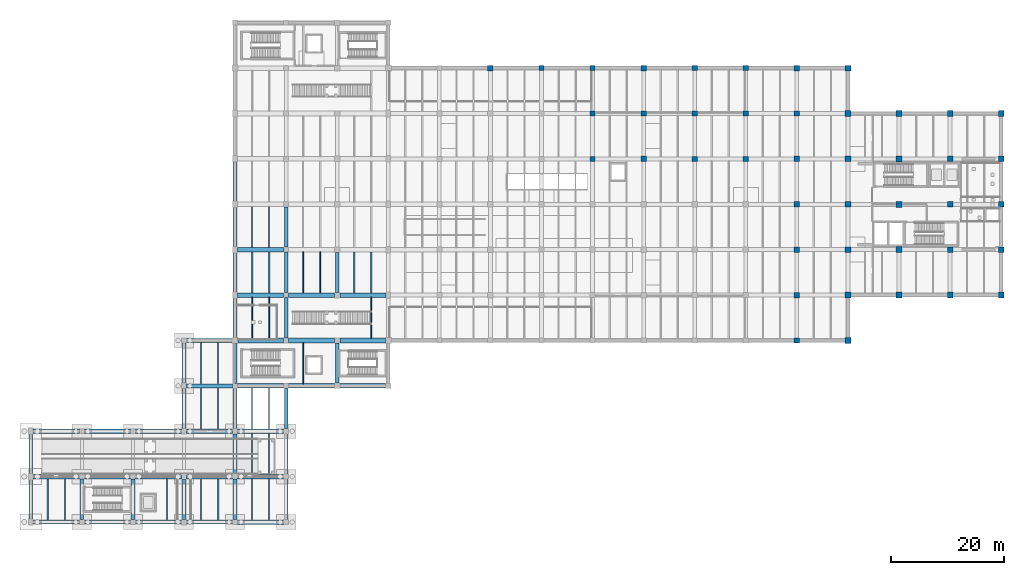
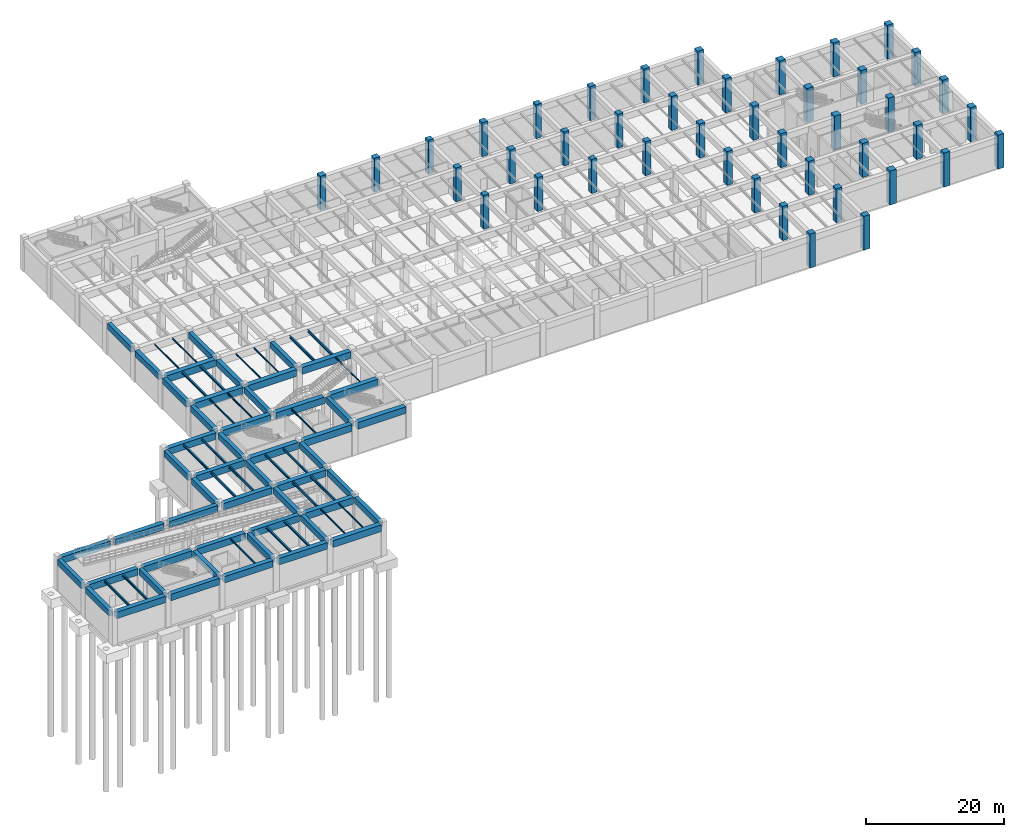
# One storey, part 2 of 20: 77 beams, 43 columns.
"""IFC4 building model written with IfcOpenShell, lengths in metres."""

from ifc_helpers import new_model, si_unit, derived_unit, direction, frame, origin, origin_2d, place, context, subcontext, project, spatial, rectangle, i_section, extrude, material, material_profile, profile_set, type_object, element, save


model = new_model("IFC4")

# Units and contexts
model_context = context("Model", 3, precision=1e-05, world=origin(), true_north=direction((0.0, 1.0)))
body_context = subcontext(model_context, "Body", "Model", "MODEL_VIEW")
ifc_project = project(units=[si_unit("LENGTHUNIT", "METRE"), si_unit("AREAUNIT", "SQUARE_METRE"), si_unit("VOLUMEUNIT", "CUBIC_METRE"), si_unit("PLANEANGLEUNIT", "RADIAN"), si_unit("MASSUNIT", "GRAM", prefix="KILO"), derived_unit("THERMALTRANSMITTANCEUNIT", [(si_unit("MASSUNIT", "GRAM", prefix="KILO"), 1), (si_unit("TIMEUNIT", "SECOND"), -3), (si_unit("THERMODYNAMICTEMPERATUREUNIT", "KELVIN"), -1)])], contexts=[model_context])

# Site, building, storey
site_placement = place(None, origin())
site = spatial("IfcSite", under=ifc_project, at=site_placement, CompositionType="ELEMENT")
building_placement = place(site_placement, origin())
building = spatial("IfcBuilding", under=site, at=building_placement, Name="Zhenchuan Archway Interchange", CompositionType="ELEMENT")
storey_placement = place(building_placement, frame((0.0, 0.0, -6.0)))
storey = spatial("IfcBuildingStorey", under=building, at=storey_placement, Name="B1", CompositionType="ELEMENT", Elevation=-6.0)

# Columns
ifc_material_1 = material(Name="Concrete C50", Category="concrete")
ifc_material_profile_1 = material_profile(ifc_material_1, rectangle(XDim=1.0, YDim=1.0, at=origin_2d()), Name="RC 1000x1000")
ifc_profile_set_1 = profile_set([ifc_material_profile_1], Name="Concrete C50")
column_type_1 = type_object("IfcColumnType", Name="COL_RC_1000_B1", PredefinedType="COLUMN", material=ifc_profile_set_1)
for number, where, z_axis, x_axis, name in (
    (1, (144.0, 32.0, 0.0), (0.0, 0.0, 1.0), (1.0, 0.0, 0.0), "Column 17/E (B1)"),
    (2, (144.0, 40.0, 0.0), (0.0, 0.0, 1.0), (1.0, 0.0, 0.0), "Column 17/F (B1)"),
    (3, (144.0, 48.0, 0.0), (0.0, 0.0, 1.0), (1.0, 0.0, 0.0), "Column 17/G (B1)"),
    (4, (144.0, 56.0, 0.0), (0.0, 0.0, 1.0), (1.0, 0.0, 0.0), "Column 17/H (B1)"),
    (5, (144.0, 64.0, 0.0), (0.0, 0.0, 1.0), (1.0, 0.0, 0.0), "Column 17/J (B1)"),
    (6, (144.0, 72.0, 0.0), (0.0, 0.0, 1.0), (1.0, 0.0, 0.0), "Column 17/K (B1)"),
    (7, (144.0, 80.0, 0.0), (0.0, 0.0, 1.0), (1.0, 0.0, 0.0), "Column 17/L (B1)"),
    (8, (162.0, 40.0, 0.0), (0.0, 0.0, 1.0), (1.0, 0.0, 0.0), "Column 19/F (B1)"),
    (9, (162.0, 48.0, 0.0), (0.0, 0.0, 1.0), (1.0, 0.0, 0.0), "Column 19/G (B1)"),
    (10, (162.0, 56.0, 0.0), (0.0, 0.0, 1.0), (1.0, 0.0, 0.0), "Column 19/H (B1)"),
    (11, (162.0, 64.0, 0.0), (0.0, 0.0, 1.0), (1.0, 0.0, 0.0), "Column 19/J (B1)"),
    (12, (162.0, 72.0, 0.0), (0.0, 0.0, 1.0), (1.0, 0.0, 0.0), "Column 19/K (B1)"),
    (13, (171.0, 40.0, 0.0), (0.0, 0.0, 1.0), (1.0, 0.0, 0.0), "Column 20/F (B1)"),
    (14, (171.0, 48.0, 0.0), (0.0, 0.0, 1.0), (1.0, 0.0, 0.0), "Column 20/G (B1)"),
    (15, (171.0, 56.0, 0.0), (0.0, 0.0, 1.0), (1.0, 0.0, 0.0), "Column 20/H (B1)"),
    (16, (171.0, 64.0, 0.0), (0.0, 0.0, 1.0), (1.0, 0.0, 0.0), "Column 20/J (B1)"),
    (17, (171.0, 72.0, 0.0), (0.0, 0.0, 1.0), (1.0, 0.0, 0.0), "Column 20/K (B1)"),
):
    element("IfcColumn", number, at=place(storey_placement, frame(where, z_axis=z_axis, x_axis=x_axis)), inside=storey, type_object=column_type_1, Name=name, PredefinedType="COLUMN", context=body_context, shape_type="SweptSolid", body=[
        extrude(rectangle(XDim=1.0, YDim=1.0, at=origin_2d()), origin(), (0.0, 0.0, 1.0), 6.0),
    ])
ifc_material_profile_2 = material_profile(ifc_material_1, rectangle(XDim=1.050048828125, YDim=1.050048828125, at=origin_2d()), Name="RC 1050x1050")
ifc_profile_set_2 = profile_set([ifc_material_profile_2], Name="Concrete C50")
column_type_2 = type_object("IfcColumnType", Name="COL_RC_1050", PredefinedType="COLUMN", material=ifc_profile_set_2)
for number, where, z_axis, x_axis, name in (
    (18, (153.0, 40.0, 0.0), (0.0, 0.0, 1.0), (1.0, 0.0, 0.0), "Column 18/F (B1)"),
    (19, (153.0, 48.0, 0.0), (0.0, 0.0, 1.0), (1.0, 0.0, 0.0), "Column 18/G (B1)"),
    (20, (153.0, 56.0, 0.0), (0.0, 0.0, 1.0), (1.0, 0.0, 0.0), "Column 18/H (B1)"),
    (21, (153.0, 64.0, 0.0), (0.0, 0.0, 1.0), (1.0, 0.0, 0.0), "Column 18/J (B1)"),
    (22, (153.0, 72.0, 0.0), (0.0, 0.0, 1.0), (1.0, 0.0, 0.0), "Column 18/K (B1)"),
):
    element("IfcColumn", number, at=place(storey_placement, frame(where, z_axis=z_axis, x_axis=x_axis)), inside=storey, type_object=column_type_2, Name=name, PredefinedType="COLUMN", context=body_context, shape_type="SweptSolid", body=[
        extrude(rectangle(XDim=1.050048828125, YDim=1.050048828125, at=origin_2d()), origin(), (0.0, 0.0, 1.0), 6.0),
    ])
ifc_material_profile_3 = material_profile(ifc_material_1, rectangle(XDim=0.89990234375, YDim=0.89990234375, at=origin_2d()), Name="RC 900x900")
ifc_profile_set_3 = profile_set([ifc_material_profile_3], Name="Concrete C50")
column_type_3 = type_object("IfcColumnType", Name="COL_RC_900", PredefinedType="COLUMN", material=ifc_profile_set_3)
for number, where, z_axis, x_axis, name in (
    (23, (90.0, 80.0, 0.0), (0.0, 0.0, 1.0), (1.0, 0.0, 0.0), "Column 11/L (B1)"),
    (24, (99.0, 64.0, 0.0), (0.0, 0.0, 1.0), (1.0, 0.0, 0.0), "Column 12/J (B1)"),
    (25, (99.0, 72.0, 0.0), (0.0, 0.0, 1.0), (1.0, 0.0, 0.0), "Column 12/K (B1)"),
    (26, (99.0, 80.0, 0.0), (0.0, 0.0, 1.0), (1.0, 0.0, 0.0), "Column 12/L (B1)"),
    (27, (117.0, 64.0, 0.0), (0.0, 0.0, 1.0), (1.0, 0.0, 0.0), "Column 14/J (B1)"),
    (28, (117.0, 72.0, 0.0), (0.0, 0.0, 1.0), (1.0, 0.0, 0.0), "Column 14/K (B1)"),
    (29, (117.0, 80.0, 0.0), (0.0, 0.0, 1.0), (1.0, 0.0, 0.0), "Column 14/L (B1)"),
    (30, (126.0, 64.0, 0.0), (0.0, 0.0, 1.0), (1.0, 0.0, 0.0), "Column 15/J (B1)"),
    (31, (126.0, 72.0, 0.0), (0.0, 0.0, 1.0), (1.0, 0.0, 0.0), "Column 15/K (B1)"),
    (32, (126.0, 80.0, 0.0), (0.0, 0.0, 1.0), (1.0, 0.0, 0.0), "Column 15/L (B1)"),
):
    element("IfcColumn", number, at=place(storey_placement, frame(where, z_axis=z_axis, x_axis=x_axis)), inside=storey, type_object=column_type_3, Name=name, PredefinedType="COLUMN", context=body_context, shape_type="SweptSolid", body=[
        extrude(rectangle(XDim=0.89990234375, YDim=0.89990234375, at=origin_2d()), origin(), (0.0, 0.0, 1.0), 6.0),
    ])
ifc_material_profile_4 = material_profile(ifc_material_1, rectangle(XDim=0.949951171875, YDim=0.949951171875, at=origin_2d()), Name="RC 950x950")
ifc_profile_set_4 = profile_set([ifc_material_profile_4], Name="Concrete C50")
column_type_4 = type_object("IfcColumnType", Name="COL_RC_950", PredefinedType="COLUMN", material=ifc_profile_set_4)
for number, where, z_axis, x_axis, name in (
    (33, (81.0, 80.0, 0.0), (0.0, 0.0, 1.0), (1.0, 0.0, 0.0), "Column 10/L (B1)"),
    (34, (108.0, 64.0, 0.0), (0.0, 0.0, 1.0), (1.0, 0.0, 0.0), "Column 13/J (B1)"),
    (35, (108.0, 72.0, 0.0), (0.0, 0.0, 1.0), (1.0, 0.0, 0.0), "Column 13/K (B1)"),
    (36, (108.0, 80.0, 0.0), (0.0, 0.0, 1.0), (1.0, 0.0, 0.0), "Column 13/L (B1)"),
    (37, (135.0, 32.0, 0.0), (0.0, 0.0, 1.0), (1.0, 0.0, 0.0), "Column 16/E (B1)"),
    (38, (135.0, 40.0, 0.0), (0.0, 0.0, 1.0), (1.0, 0.0, 0.0), "Column 16/F (B1)"),
    (39, (135.0, 48.0, 0.0), (0.0, 0.0, 1.0), (1.0, 0.0, 0.0), "Column 16/G (B1)"),
    (40, (135.0, 56.0, 0.0), (0.0, 0.0, 1.0), (1.0, 0.0, 0.0), "Column 16/H (B1)"),
    (41, (135.0, 64.0, 0.0), (0.0, 0.0, 1.0), (1.0, 0.0, 0.0), "Column 16/J (B1)"),
    (42, (135.0, 72.0, 0.0), (0.0, 0.0, 1.0), (1.0, 0.0, 0.0), "Column 16/K (B1)"),
    (43, (135.0, 80.0, 0.0), (0.0, 0.0, 1.0), (1.0, 0.0, 0.0), "Column 16/L (B1)"),
):
    element("IfcColumn", number, at=place(storey_placement, frame(where, z_axis=z_axis, x_axis=x_axis)), inside=storey, type_object=column_type_4, Name=name, PredefinedType="COLUMN", context=body_context, shape_type="SweptSolid", body=[
        extrude(rectangle(XDim=0.949951171875, YDim=0.949951171875, at=origin_2d()), origin(), (0.0, 0.0, 1.0), 6.0),
    ])

# Beams
ifc_material_2 = material(Name="Concrete C40", Category="concrete")
ifc_material_profile_5 = material_profile(ifc_material_2, rectangle(XDim=0.64990234375, YDim=1.050048828125, at=origin_2d()), Name="RC 650x1050")
ifc_profile_set_5 = profile_set([ifc_material_profile_5], Name="Concrete C40")
beam_type_1 = type_object("IfcBeamType", Name="BM_RC_650x1050", PredefinedType="BEAM", material=ifc_profile_set_5)
for number, where, z_axis, x_axis, name in (
    (44, (0.0, 0.550048828125, 5.054931640625), (0.0, 1.0, 0.0), (-1.0, 0.0, 0.0), "Beam 1:A-B (B1)"),
    (45, (0.0, 8.550048828125, 5.054931640625), (0.0, 1.0, 0.0), (-1.0, 0.0, 0.0), "Beam 1:B-C (B1)"),
):
    element("IfcBeam", number, at=place(storey_placement, frame(where, z_axis=z_axis, x_axis=x_axis)), inside=storey, type_object=beam_type_1, Name=name, PredefinedType="BEAM", context=body_context, shape_type="SweptSolid", body=[
        extrude(rectangle(XDim=0.64990234375, YDim=1.050048828125, at=origin_2d()), origin(), (0.0, 0.0, 1.0), 6.89990234375),
    ])
for number, where, z_axis, x_axis, name in (
    (46, (9.0, 0.425048828125, 5.054931640625), (0.0, 1.0, 0.0), (-1.0, 0.0, 0.0), "Beam 2:A-B (B1)"),
    (47, (18.0, 0.425048828125, 5.054931640625), (0.0, 1.0, 0.0), (-1.0, 0.0, 0.0), "Beam 3:A-B (B1)"),
):
    element("IfcBeam", number, at=place(storey_placement, frame(where, z_axis=z_axis, x_axis=x_axis)), inside=storey, type_object=beam_type_1, Name=name, PredefinedType="BEAM", context=body_context, shape_type="SweptSolid", body=[
        extrude(rectangle(XDim=0.64990234375, YDim=1.050048828125, at=origin_2d()), origin(), (0.0, 0.0, 1.0), 7.14990234375),
    ])
for number, where, z_axis, x_axis, name in (
    (48, (27.0, 0.47509765625, 5.054931640625), (0.0, 1.0, 0.0), (-1.0, 0.0, 0.0), "Beam 4:A-B (B1)"),
    (49, (27.0, 16.47509765625, 5.054931640625), (0.0, 1.0, 0.0), (-1.0, 0.0, 0.0), "Beam 4:C-D (B1)"),
    (50, (27.0, 24.47509765625, 5.054931640625), (0.0, 1.0, 0.0), (-1.0, 0.0, 0.0), "Beam 4:D-E (B1)"),
):
    element("IfcBeam", number, at=place(storey_placement, frame(where, z_axis=z_axis, x_axis=x_axis)), inside=storey, type_object=beam_type_1, Name=name, PredefinedType="BEAM", context=body_context, shape_type="SweptSolid", body=[
        extrude(rectangle(XDim=0.64990234375, YDim=1.050048828125, at=origin_2d()), origin(), (0.0, 0.0, 1.0), 7.0498046875),
    ])
for number, where, z_axis, x_axis, name in (
    (51, (36.0, 0.449951171875, 5.054931640625), (0.0, 1.0, 0.0), (-1.0, 0.0, 0.0), "Beam 5:A-B (B1)"),
    (52, (36.0, 8.449951171875, 5.054931640625), (0.0, 1.0, 0.0), (-1.0, 0.0, 0.0), "Beam 5:B-C (B1)"),
    (53, (36.0, 16.449951171875, 5.054931640625), (0.0, 1.0, 0.0), (-1.0, 0.0, 0.0), "Beam 5:C-D (B1)"),
):
    element("IfcBeam", number, at=place(storey_placement, frame(where, z_axis=z_axis, x_axis=x_axis)), inside=storey, type_object=beam_type_1, Name=name, PredefinedType="BEAM", context=body_context, shape_type="SweptSolid", body=[
        extrude(rectangle(XDim=0.64990234375, YDim=1.050048828125, at=origin_2d()), origin(), (0.0, 0.0, 1.0), 7.10009765625),
    ])
beam_1_placement = place(storey_placement, frame((36.0, 24.449951171875, 5.054931640625), z_axis=(0.0, 1.0, 0.0), x_axis=(-1.0, 0.0, 0.0)))
element("IfcBeam", 54, at=beam_1_placement, inside=storey, type_object=beam_type_1, Name="Beam 5:D-E (B1)", PredefinedType="BEAM", context=body_context, shape_type="SweptSolid", body=[
    extrude(rectangle(XDim=0.64990234375, YDim=1.050048828125, at=origin_2d()), origin(), (0.0, 0.0, 1.0), 7.025146484375),
])
beam_2_placement = place(storey_placement, frame((36.0, 32.52490234375, 5.054931640625), z_axis=(0.0, 1.0, 0.0), x_axis=(-1.0, 0.0, 0.0)))
element("IfcBeam", 55, at=beam_2_placement, inside=storey, type_object=beam_type_1, Name="Beam 5:E-F (B1)", PredefinedType="BEAM", context=body_context, shape_type="SweptSolid", body=[
    extrude(rectangle(XDim=0.64990234375, YDim=1.050048828125, at=origin_2d()), origin(), (0.0, 0.0, 1.0), 6.900146484375),
])
for number, where, z_axis, x_axis, name in (
    (56, (36.0, 40.574951171875, 5.054931640625), (0.0, 1.0, 0.0), (-1.0, 0.0, 0.0), "Beam 5:F-G (B1)"),
    (57, (36.0, 48.574951171875, 5.054931640625), (0.0, 1.0, 0.0), (-1.0, 0.0, 0.0), "Beam 5:G-H (B1)"),
    (58, (36.0, 56.574951171875, 5.054931640625), (0.0, 1.0, 0.0), (-1.0, 0.0, 0.0), "Beam 5:H-J (B1)"),
):
    element("IfcBeam", number, at=place(storey_placement, frame(where, z_axis=z_axis, x_axis=x_axis)), inside=storey, type_object=beam_type_1, Name=name, PredefinedType="BEAM", context=body_context, shape_type="SweptSolid", body=[
        extrude(rectangle(XDim=0.64990234375, YDim=1.050048828125, at=origin_2d()), origin(), (0.0, 0.0, 1.0), 6.85009765625),
    ])
for number, where, z_axis, x_axis, name in (
    (59, (45.0, 0.449951171875, 5.054931640625), (0.0, 1.0, 0.0), (-1.0, 0.0, 0.0), "Beam 6:A-B (B1)"),
    (60, (45.0, 8.449951171875, 5.054931640625), (0.0, 1.0, 0.0), (-1.0, 0.0, 0.0), "Beam 6:B-C (B1)"),
    (61, (45.0, 16.449951171875, 5.054931640625), (0.0, 1.0, 0.0), (-1.0, 0.0, 0.0), "Beam 6:C-D (B1)"),
    (62, (45.0, 32.449951171875, 5.054931640625), (0.0, 1.0, 0.0), (-1.0, 0.0, 0.0), "Beam 6:E-F (B1)"),
    (63, (45.0, 40.449951171875, 5.054931640625), (0.0, 1.0, 0.0), (-1.0, 0.0, 0.0), "Beam 6:F-G (B1)"),
    (64, (45.0, 48.449951171875, 5.054931640625), (0.0, 1.0, 0.0), (-1.0, 0.0, 0.0), "Beam 6:G-H (B1)"),
):
    element("IfcBeam", number, at=place(storey_placement, frame(where, z_axis=z_axis, x_axis=x_axis)), inside=storey, type_object=beam_type_1, Name=name, PredefinedType="BEAM", context=body_context, shape_type="SweptSolid", body=[
        extrude(rectangle(XDim=0.64990234375, YDim=1.050048828125, at=origin_2d()), origin(), (0.0, 0.0, 1.0), 7.10009765625),
    ])
for number, where, z_axis, x_axis, name in (
    (65, (54.0, 24.47509765625, 5.054931640625), (0.0, 1.0, 0.0), (-1.0, 0.0, 0.0), "Beam 7:D-E (B1)"),
    (66, (54.0, 40.47509765625, 5.054931640625), (0.0, 1.0, 0.0), (-1.0, 0.0, 0.0), "Beam 7:F-G (B1)"),
):
    element("IfcBeam", number, at=place(storey_placement, frame(where, z_axis=z_axis, x_axis=x_axis)), inside=storey, type_object=beam_type_1, Name=name, PredefinedType="BEAM", context=body_context, shape_type="SweptSolid", body=[
        extrude(rectangle(XDim=0.64990234375, YDim=1.050048828125, at=origin_2d()), origin(), (0.0, 0.0, 1.0), 7.0498046875),
    ])
ifc_material_profile_6 = material_profile(ifc_material_2, rectangle(XDim=0.75, YDim=1.14990234375, at=origin_2d()), Name="RC 750x1150")
ifc_profile_set_6 = profile_set([ifc_material_profile_6], Name="Concrete C40")
beam_type_2 = type_object("IfcBeamType", Name="BM_RC_750x1150", PredefinedType="BEAM", material=ifc_profile_set_6)
beam_3_placement = place(storey_placement, frame((0.39990234375, 0.0, 5.0048828125), z_axis=(1.0, 0.0, 0.0), x_axis=(0.0, 1.0, 0.0)))
element("IfcBeam", 67, at=beam_3_placement, inside=storey, type_object=beam_type_2, Name="Beam A:1-2 (B1)", PredefinedType="BEAM", context=body_context, shape_type="SweptSolid", body=[
    extrude(rectangle(XDim=0.75, YDim=1.14990234375, at=origin_2d()), origin(), (0.0, 0.0, 1.0), 8.175048828125),
])
beam_4_placement = place(storey_placement, frame((9.425048828125, 0.0, 5.0048828125), z_axis=(1.0, 0.0, 0.0), x_axis=(0.0, 1.0, 0.0)))
element("IfcBeam", 68, at=beam_4_placement, inside=storey, type_object=beam_type_2, Name="Beam A:2-3 (B1)", PredefinedType="BEAM", context=body_context, shape_type="SweptSolid", body=[
    extrude(rectangle(XDim=0.75, YDim=1.14990234375, at=origin_2d()), origin(), (0.0, 0.0, 1.0), 8.14990234375),
])
beam_5_placement = place(storey_placement, frame((18.425048828125, 0.0, 5.0048828125), z_axis=(1.0, 0.0, 0.0), x_axis=(0.0, 1.0, 0.0)))
element("IfcBeam", 69, at=beam_5_placement, inside=storey, type_object=beam_type_2, Name="Beam A:3-4 (B1)", PredefinedType="BEAM", context=body_context, shape_type="SweptSolid", body=[
    extrude(rectangle(XDim=0.75, YDim=1.14990234375, at=origin_2d()), origin(), (0.0, 0.0, 1.0), 8.099853515625),
])
beam_6_placement = place(storey_placement, frame((27.47509765625, 0.0, 5.0048828125), z_axis=(1.0, 0.0, 0.0), x_axis=(0.0, 1.0, 0.0)))
element("IfcBeam", 70, at=beam_6_placement, inside=storey, type_object=beam_type_2, Name="Beam A:4-5 (B1)", PredefinedType="BEAM", context=body_context, shape_type="SweptSolid", body=[
    extrude(rectangle(XDim=0.75, YDim=1.14990234375, at=origin_2d()), origin(), (0.0, 0.0, 1.0), 8.074951171875),
])
beam_7_placement = place(storey_placement, frame((0.39990234375, 8.0, 5.0048828125), z_axis=(1.0, 0.0, 0.0), x_axis=(0.0, 1.0, 0.0)))
element("IfcBeam", 71, at=beam_7_placement, inside=storey, type_object=beam_type_2, Name="Beam B:1-2 (B1)", PredefinedType="BEAM", context=body_context, shape_type="SweptSolid", body=[
    extrude(rectangle(XDim=0.75, YDim=1.14990234375, at=origin_2d()), origin(), (0.0, 0.0, 1.0), 8.175048828125),
])
beam_8_placement = place(storey_placement, frame((9.425048828125, 8.0, 5.0048828125), z_axis=(1.0, 0.0, 0.0), x_axis=(0.0, 1.0, 0.0)))
element("IfcBeam", 72, at=beam_8_placement, inside=storey, type_object=beam_type_2, Name="Beam B:2-3 (B1)", PredefinedType="BEAM", context=body_context, shape_type="SweptSolid", body=[
    extrude(rectangle(XDim=0.75, YDim=1.14990234375, at=origin_2d()), origin(), (0.0, 0.0, 1.0), 8.14990234375),
])
beam_9_placement = place(storey_placement, frame((18.425048828125, 8.0, 5.0048828125), z_axis=(1.0, 0.0, 0.0), x_axis=(0.0, 1.0, 0.0)))
element("IfcBeam", 73, at=beam_9_placement, inside=storey, type_object=beam_type_2, Name="Beam B:3-4 (B1)", PredefinedType="BEAM", context=body_context, shape_type="SweptSolid", body=[
    extrude(rectangle(XDim=0.75, YDim=1.14990234375, at=origin_2d()), origin(), (0.0, 0.0, 1.0), 8.099853515625),
])
beam_10_placement = place(storey_placement, frame((27.47509765625, 8.0, 5.0048828125), z_axis=(1.0, 0.0, 0.0), x_axis=(0.0, 1.0, 0.0)))
element("IfcBeam", 74, at=beam_10_placement, inside=storey, type_object=beam_type_2, Name="Beam B:4-5 (B1)", PredefinedType="BEAM", context=body_context, shape_type="SweptSolid", body=[
    extrude(rectangle(XDim=0.75, YDim=1.14990234375, at=origin_2d()), origin(), (0.0, 0.0, 1.0), 8.074951171875),
])
beam_11_placement = place(storey_placement, frame((0.39990234375, 16.0, 5.0048828125), z_axis=(1.0, 0.0, 0.0), x_axis=(0.0, 1.0, 0.0)))
element("IfcBeam", 75, at=beam_11_placement, inside=storey, type_object=beam_type_2, Name="Beam C:1-2 (B1)", PredefinedType="BEAM", context=body_context, shape_type="SweptSolid", body=[
    extrude(rectangle(XDim=0.75, YDim=1.14990234375, at=origin_2d()), origin(), (0.0, 0.0, 1.0), 8.175048828125),
])
beam_12_placement = place(storey_placement, frame((9.425048828125, 16.0, 5.0048828125), z_axis=(1.0, 0.0, 0.0), x_axis=(0.0, 1.0, 0.0)))
element("IfcBeam", 76, at=beam_12_placement, inside=storey, type_object=beam_type_2, Name="Beam C:2-3 (B1)", PredefinedType="BEAM", context=body_context, shape_type="SweptSolid", body=[
    extrude(rectangle(XDim=0.75, YDim=1.14990234375, at=origin_2d()), origin(), (0.0, 0.0, 1.0), 8.14990234375),
])
beam_13_placement = place(storey_placement, frame((18.425048828125, 16.0, 5.0048828125), z_axis=(1.0, 0.0, 0.0), x_axis=(0.0, 1.0, 0.0)))
element("IfcBeam", 77, at=beam_13_placement, inside=storey, type_object=beam_type_2, Name="Beam C:3-4 (B1)", PredefinedType="BEAM", context=body_context, shape_type="SweptSolid", body=[
    extrude(rectangle(XDim=0.75, YDim=1.14990234375, at=origin_2d()), origin(), (0.0, 0.0, 1.0), 8.099853515625),
])
for number, where, z_axis, x_axis, name in (
    (78, (27.47509765625, 16.0, 5.0048828125), (1.0, 0.0, 0.0), (0.0, 1.0, 0.0), "Beam C:4-5 (B1)"),
    (79, (27.47509765625, 24.0, 5.0048828125), (1.0, 0.0, 0.0), (0.0, 1.0, 0.0), "Beam D:4-5 (B1)"),
):
    element("IfcBeam", number, at=place(storey_placement, frame(where, z_axis=z_axis, x_axis=x_axis)), inside=storey, type_object=beam_type_2, Name=name, PredefinedType="BEAM", context=body_context, shape_type="SweptSolid", body=[
        extrude(rectangle(XDim=0.75, YDim=1.14990234375, at=origin_2d()), origin(), (0.0, 0.0, 1.0), 8.074951171875),
    ])
beam_14_placement = place(storey_placement, frame((27.47509765625, 32.0, 5.0048828125), z_axis=(1.0, 0.0, 0.0), x_axis=(0.0, 1.0, 0.0)))
element("IfcBeam", 80, at=beam_14_placement, inside=storey, type_object=beam_type_2, Name="Beam E:4-5 (B1)", PredefinedType="BEAM", context=body_context, shape_type="SweptSolid", body=[
    extrude(rectangle(XDim=0.75, YDim=1.14990234375, at=origin_2d()), origin(), (0.0, 0.0, 1.0), 8.0),
])
ifc_material_profile_7 = material_profile(ifc_material_1, rectangle(XDim=0.800048828125, YDim=1.199951171875, at=origin_2d()), Name="RC 800x1200")
ifc_profile_set_7 = profile_set([ifc_material_profile_7], Name="Concrete C50")
beam_type_3 = type_object("IfcBeamType", Name="BM_RC_800x1200", PredefinedType="BEAM", material=ifc_profile_set_7)
for number, where, z_axis, x_axis, name in (
    (81, (36.449951171875, 0.0, 4.97998046875), (1.0, 0.0, 0.0), (0.0, 1.0, 0.0), "Beam A:5-6 (B1)"),
    (82, (36.449951171875, 8.0, 4.97998046875), (1.0, 0.0, 0.0), (0.0, 1.0, 0.0), "Beam B:5-6 (B1)"),
    (83, (36.449951171875, 16.0, 4.97998046875), (1.0, 0.0, 0.0), (0.0, 1.0, 0.0), "Beam C:5-6 (B1)"),
    (84, (36.449951171875, 24.0, 4.97998046875), (1.0, 0.0, 0.0), (0.0, 1.0, 0.0), "Beam D:5-6 (B1)"),
):
    element("IfcBeam", number, at=place(storey_placement, frame(where, z_axis=z_axis, x_axis=x_axis)), inside=storey, type_object=beam_type_3, Name=name, PredefinedType="BEAM", context=body_context, shape_type="SweptSolid", body=[
        extrude(rectangle(XDim=0.800048828125, YDim=1.199951171875, at=origin_2d()), origin(), (0.0, 0.0, 1.0), 8.10009765625),
    ])
for number, where, z_axis, x_axis, name in (
    (85, (45.449951171875, 24.0, 4.97998046875), (1.0, 0.0, 0.0), (0.0, 1.0, 0.0), "Beam D:6-7 (B1)"),
    (86, (54.47509765625, 24.0, 4.97998046875), (1.0, 0.0, 0.0), (0.0, 1.0, 0.0), "Beam D:7-8 (B1)"),
):
    element("IfcBeam", number, at=place(storey_placement, frame(where, z_axis=z_axis, x_axis=x_axis)), inside=storey, type_object=beam_type_3, Name=name, PredefinedType="BEAM", context=body_context, shape_type="SweptSolid", body=[
        extrude(rectangle(XDim=0.800048828125, YDim=1.199951171875, at=origin_2d()), origin(), (0.0, 0.0, 1.0), 8.074951171875),
    ])
beam_15_placement = place(storey_placement, frame((36.52490234375, 32.0, 4.97998046875), z_axis=(1.0, 0.0, 0.0), x_axis=(0.0, 1.0, 0.0)))
element("IfcBeam", 87, at=beam_15_placement, inside=storey, type_object=beam_type_3, Name="Beam E:5-6 (B1)", PredefinedType="BEAM", context=body_context, shape_type="SweptSolid", body=[
    extrude(rectangle(XDim=0.800048828125, YDim=1.199951171875, at=origin_2d()), origin(), (0.0, 0.0, 1.0), 8.025146484375),
])
beam_16_placement = place(storey_placement, frame((45.449951171875, 32.0, 4.97998046875), z_axis=(1.0, 0.0, 0.0), x_axis=(0.0, 1.0, 0.0)))
element("IfcBeam", 88, at=beam_16_placement, inside=storey, type_object=beam_type_3, Name="Beam E:6-7 (B1)", PredefinedType="BEAM", context=body_context, shape_type="SweptSolid", body=[
    extrude(rectangle(XDim=0.800048828125, YDim=1.199951171875, at=origin_2d()), origin(), (0.0, 0.0, 1.0), 8.074951171875),
])
beam_17_placement = place(storey_placement, frame((54.47509765625, 32.0, 4.97998046875), z_axis=(1.0, 0.0, 0.0), x_axis=(0.0, 1.0, 0.0)))
element("IfcBeam", 89, at=beam_17_placement, inside=storey, type_object=beam_type_3, Name="Beam E:7-8 (B1)", PredefinedType="BEAM", context=body_context, shape_type="SweptSolid", body=[
    extrude(rectangle(XDim=0.800048828125, YDim=1.199951171875, at=origin_2d()), origin(), (0.0, 0.0, 1.0), 8.0),
])
beam_18_placement = place(storey_placement, frame((36.425048828125, 40.0, 4.97998046875), z_axis=(1.0, 0.0, 0.0), x_axis=(0.0, 1.0, 0.0)))
element("IfcBeam", 90, at=beam_18_placement, inside=storey, type_object=beam_type_3, Name="Beam F:5-6 (B1)", PredefinedType="BEAM", context=body_context, shape_type="SweptSolid", body=[
    extrude(rectangle(XDim=0.800048828125, YDim=1.199951171875, at=origin_2d()), origin(), (0.0, 0.0, 1.0), 8.125),
])
beam_19_placement = place(storey_placement, frame((45.449951171875, 40.0, 4.97998046875), z_axis=(1.0, 0.0, 0.0), x_axis=(0.0, 1.0, 0.0)))
element("IfcBeam", 91, at=beam_19_placement, inside=storey, type_object=beam_type_3, Name="Beam F:6-7 (B1)", PredefinedType="BEAM", context=body_context, shape_type="SweptSolid", body=[
    extrude(rectangle(XDim=0.800048828125, YDim=1.199951171875, at=origin_2d()), origin(), (0.0, 0.0, 1.0), 8.074951171875),
])
beam_20_placement = place(storey_placement, frame((54.47509765625, 40.0, 4.97998046875), z_axis=(1.0, 0.0, 0.0), x_axis=(0.0, 1.0, 0.0)))
element("IfcBeam", 92, at=beam_20_placement, inside=storey, type_object=beam_type_3, Name="Beam F:7-8 (B1)", PredefinedType="BEAM", context=body_context, shape_type="SweptSolid", body=[
    extrude(rectangle(XDim=0.800048828125, YDim=1.199951171875, at=origin_2d()), origin(), (0.0, 0.0, 1.0), 8.099853515625),
])
beam_21_placement = place(storey_placement, frame((36.425048828125, 48.0, 4.97998046875), z_axis=(1.0, 0.0, 0.0), x_axis=(0.0, 1.0, 0.0)))
element("IfcBeam", 93, at=beam_21_placement, inside=storey, type_object=beam_type_3, Name="Beam G:5-6 (B1)", PredefinedType="BEAM", context=body_context, shape_type="SweptSolid", body=[
    extrude(rectangle(XDim=0.800048828125, YDim=1.199951171875, at=origin_2d()), origin(), (0.0, 0.0, 1.0), 8.125),
])
ifc_material_3 = material(Name="Steel Q355", Category="steel")
ifc_material_profile_8 = material_profile(ifc_material_3, i_section(OverallWidth=0.25, OverallDepth=0.340087890625, WebThickness=0.009033203125, FlangeThickness=0.013916015625, FilletRadius=0.01806640625, at=origin_2d()), Name="HM 340x250")
ifc_profile_set_8 = profile_set([ifc_material_profile_8], Name="Steel Q355")
beam_type_4 = type_object("IfcBeamType", Name="JST_STL_HM340", PredefinedType="JOIST", material=ifc_profile_set_8)
for number, where, z_axis, x_axis, name in (
    (94, (30.0, 0.375, 5.409912109375), (0.0, 1.0, 0.0), (-1.0, 0.0, 0.0), "Secondary joist 4-5/A-B #1 (B1)"),
    (95, (33.0, 0.375, 5.409912109375), (0.0, 1.0, 0.0), (-1.0, 0.0, 0.0), "Secondary joist 4-5/A-B #2 (B1)"),
):
    element("IfcBeam", number, at=place(storey_placement, frame(where, z_axis=z_axis, x_axis=x_axis)), inside=storey, type_object=beam_type_4, Name=name, PredefinedType="JOIST", context=body_context, shape_type="SweptSolid", body=[
        extrude(i_section(OverallWidth=0.25, OverallDepth=0.340087890625, WebThickness=0.009033203125, FlangeThickness=0.013916015625, FilletRadius=0.01806640625, at=origin_2d()), origin(), (0.0, 0.0, 1.0), 7.25),
    ])
for number, where, z_axis, x_axis, name in (
    (96, (39.0, 40.39990234375, 5.409912109375), (0.0, 1.0, 0.0), (-1.0, 0.0, 0.0), "Secondary joist 5-6/F-G #1 (B1)"),
    (97, (42.0, 40.39990234375, 5.409912109375), (0.0, 1.0, 0.0), (-1.0, 0.0, 0.0), "Secondary joist 5-6/F-G #2 (B1)"),
):
    element("IfcBeam", number, at=place(storey_placement, frame(where, z_axis=z_axis, x_axis=x_axis)), inside=storey, type_object=beam_type_4, Name=name, PredefinedType="JOIST", context=body_context, shape_type="SweptSolid", body=[
        extrude(i_section(OverallWidth=0.25, OverallDepth=0.340087890625, WebThickness=0.009033203125, FlangeThickness=0.013916015625, FilletRadius=0.01806640625, at=origin_2d()), origin(), (0.0, 0.0, 1.0), 7.2001953125),
    ])
ifc_material_profile_9 = material_profile(ifc_material_3, i_section(OverallWidth=0.125, OverallDepth=0.25, WebThickness=0.006103515625, FlangeThickness=0.009033203125, FilletRadius=0.011962890625, at=origin_2d()), Name="HN 250x125")
ifc_profile_set_9 = profile_set([ifc_material_profile_9], Name="Steel Q355")
beam_type_5 = type_object("IfcBeamType", Name="JST_STL_HN250", PredefinedType="JOIST", material=ifc_profile_set_9)
for number, where, z_axis, x_axis, name in (
    (98, (39.0, 0.39990234375, 5.455078125), (0.0, 1.0, 0.0), (-1.0, 0.0, 0.0), "Secondary joist 5-6/A-B #1 (B1)"),
    (99, (42.0, 0.39990234375, 5.455078125), (0.0, 1.0, 0.0), (-1.0, 0.0, 0.0), "Secondary joist 5-6/A-B #2 (B1)"),
    (100, (39.0, 48.39990234375, 5.455078125), (0.0, 1.0, 0.0), (-1.0, 0.0, 0.0), "Secondary joist 5-6/G-H #1 (B1)"),
    (101, (42.0, 48.39990234375, 5.455078125), (0.0, 1.0, 0.0), (-1.0, 0.0, 0.0), "Secondary joist 5-6/G-H #2 (B1)"),
    (102, (48.0, 40.39990234375, 5.455078125), (0.0, 1.0, 0.0), (-1.0, 0.0, 0.0), "Secondary joist 6-7/F-G #1 (B1)"),
    (103, (51.0, 40.39990234375, 5.455078125), (0.0, 1.0, 0.0), (-1.0, 0.0, 0.0), "Secondary joist 6-7/F-G #2 (B1)"),
    (104, (60.0, 32.39990234375, 5.455078125), (0.0, 1.0, 0.0), (-1.0, 0.0, 0.0), "Secondary joist 7-8/E-F #2 (B1)"),
):
    element("IfcBeam", number, at=place(storey_placement, frame(where, z_axis=z_axis, x_axis=x_axis)), inside=storey, type_object=beam_type_5, Name=name, PredefinedType="JOIST", context=body_context, shape_type="SweptSolid", body=[
        extrude(i_section(OverallWidth=0.125, OverallDepth=0.25, WebThickness=0.006103515625, FlangeThickness=0.009033203125, FilletRadius=0.011962890625, at=origin_2d()), origin(), (0.0, 0.0, 1.0), 7.2001953125),
    ])
ifc_material_profile_10 = material_profile(ifc_material_3, i_section(OverallWidth=0.14990234375, OverallDepth=0.300048828125, WebThickness=0.006591796875, FlangeThickness=0.009033203125, FilletRadius=0.012939453125, at=origin_2d()), Name="HN 300x150")
ifc_profile_set_10 = profile_set([ifc_material_profile_10], Name="Steel Q355")
beam_type_6 = type_object("IfcBeamType", Name="JST_STL_HN300", PredefinedType="JOIST", material=ifc_profile_set_10)
beam_22_placement = place(storey_placement, frame((24.0, 0.375, 5.429931640625), z_axis=(0.0, 1.0, 0.0), x_axis=(-1.0, 0.0, 0.0)))
element("IfcBeam", 105, at=beam_22_placement, inside=storey, type_object=beam_type_6, Name="Secondary joist 3-4/A-B #2 (B1)", PredefinedType="JOIST", context=body_context, shape_type="SweptSolid", body=[
    extrude(i_section(OverallWidth=0.14990234375, OverallDepth=0.300048828125, WebThickness=0.006591796875, FlangeThickness=0.009033203125, FilletRadius=0.012939453125, at=origin_2d()), origin(), (0.0, 0.0, 1.0), 7.25),
])
for number, where, z_axis, x_axis, name in (
    (106, (39.0, 32.39990234375, 5.429931640625), (0.0, 1.0, 0.0), (-1.0, 0.0, 0.0), "Secondary joist 5-6/E-F #1 (B1)"),
    (107, (42.0, 32.39990234375, 5.429931640625), (0.0, 1.0, 0.0), (-1.0, 0.0, 0.0), "Secondary joist 5-6/E-F #2 (B1)"),
    (108, (48.0, 24.39990234375, 5.429931640625), (0.0, 1.0, 0.0), (-1.0, 0.0, 0.0), "Secondary joist 6-7/D-E #1 (B1)"),
):
    element("IfcBeam", number, at=place(storey_placement, frame(where, z_axis=z_axis, x_axis=x_axis)), inside=storey, type_object=beam_type_6, Name=name, PredefinedType="JOIST", context=body_context, shape_type="SweptSolid", body=[
        extrude(i_section(OverallWidth=0.14990234375, OverallDepth=0.300048828125, WebThickness=0.006591796875, FlangeThickness=0.009033203125, FilletRadius=0.012939453125, at=origin_2d()), origin(), (0.0, 0.0, 1.0), 7.2001953125),
    ])
ifc_material_profile_11 = material_profile(ifc_material_3, i_section(OverallWidth=0.199951171875, OverallDepth=0.39990234375, WebThickness=0.008056640625, FlangeThickness=0.012939453125, FilletRadius=0.01611328125, at=origin_2d()), Name="HN 400x200")
ifc_profile_set_11 = profile_set([ifc_material_profile_11], Name="Steel Q355")
beam_type_7 = type_object("IfcBeamType", Name="JST_STL_HN400", PredefinedType="JOIST", material=ifc_profile_set_11)
for number, where, z_axis, x_axis, name in (
    (109, (3.0, 0.375, 5.3798828125), (0.0, 1.0, 0.0), (-1.0, 0.0, 0.0), "Secondary joist 1-2/A-B #1 (B1)"),
    (110, (6.0, 0.375, 5.3798828125), (0.0, 1.0, 0.0), (-1.0, 0.0, 0.0), "Secondary joist 1-2/A-B #2 (B1)"),
    (111, (30.0, 24.375, 5.3798828125), (0.0, 1.0, 0.0), (-1.0, 0.0, 0.0), "Secondary joist 4-5/D-E #1 (B1)"),
    (112, (33.0, 24.375, 5.3798828125), (0.0, 1.0, 0.0), (-1.0, 0.0, 0.0), "Secondary joist 4-5/D-E #2 (B1)"),
):
    element("IfcBeam", number, at=place(storey_placement, frame(where, z_axis=z_axis, x_axis=x_axis)), inside=storey, type_object=beam_type_7, Name=name, PredefinedType="JOIST", context=body_context, shape_type="SweptSolid", body=[
        extrude(i_section(OverallWidth=0.199951171875, OverallDepth=0.39990234375, WebThickness=0.008056640625, FlangeThickness=0.012939453125, FilletRadius=0.01611328125, at=origin_2d()), origin(), (0.0, 0.0, 1.0), 7.25),
    ])
for number, where, z_axis, x_axis, name in (
    (113, (39.0, 16.39990234375, 5.3798828125), (0.0, 1.0, 0.0), (-1.0, 0.0, 0.0), "Secondary joist 5-6/C-D #1 (B1)"),
    (114, (42.0, 16.39990234375, 5.3798828125), (0.0, 1.0, 0.0), (-1.0, 0.0, 0.0), "Secondary joist 5-6/C-D #2 (B1)"),
):
    element("IfcBeam", number, at=place(storey_placement, frame(where, z_axis=z_axis, x_axis=x_axis)), inside=storey, type_object=beam_type_7, Name=name, PredefinedType="JOIST", context=body_context, shape_type="SweptSolid", body=[
        extrude(i_section(OverallWidth=0.199951171875, OverallDepth=0.39990234375, WebThickness=0.008056640625, FlangeThickness=0.012939453125, FilletRadius=0.01611328125, at=origin_2d()), origin(), (0.0, 0.0, 1.0), 7.2001953125),
    ])
ifc_material_profile_12 = material_profile(ifc_material_3, i_section(OverallWidth=0.199951171875, OverallDepth=0.449951171875, WebThickness=0.009033203125, FlangeThickness=0.013916015625, FilletRadius=0.01806640625, at=origin_2d()), Name="HN 450x200")
ifc_profile_set_12 = profile_set([ifc_material_profile_12], Name="Steel Q355")
beam_type_8 = type_object("IfcBeamType", Name="JST_STL_HN450", PredefinedType="JOIST", material=ifc_profile_set_12)
for number, where, z_axis, x_axis, name in (
    (115, (30.0, 16.375, 5.35498046875), (0.0, 1.0, 0.0), (-1.0, 0.0, 0.0), "Secondary joist 4-5/C-D #1 (B1)"),
    (116, (33.0, 16.375, 5.35498046875), (0.0, 1.0, 0.0), (-1.0, 0.0, 0.0), "Secondary joist 4-5/C-D #2 (B1)"),
):
    element("IfcBeam", number, at=place(storey_placement, frame(where, z_axis=z_axis, x_axis=x_axis)), inside=storey, type_object=beam_type_8, Name=name, PredefinedType="JOIST", context=body_context, shape_type="SweptSolid", body=[
        extrude(i_section(OverallWidth=0.199951171875, OverallDepth=0.449951171875, WebThickness=0.009033203125, FlangeThickness=0.013916015625, FilletRadius=0.01806640625, at=origin_2d()), origin(), (0.0, 0.0, 1.0), 7.25),
    ])
for number, where, z_axis, x_axis, name in (
    (117, (39.0, 8.39990234375, 5.35498046875), (0.0, 1.0, 0.0), (-1.0, 0.0, 0.0), "Secondary joist 5-6/B-C #1 (B1)"),
    (118, (42.0, 8.39990234375, 5.35498046875), (0.0, 1.0, 0.0), (-1.0, 0.0, 0.0), "Secondary joist 5-6/B-C #2 (B1)"),
    (119, (57.0, 40.39990234375, 5.35498046875), (0.0, 1.0, 0.0), (-1.0, 0.0, 0.0), "Secondary joist 7-8/F-G #1 (B1)"),
    (120, (60.0, 40.39990234375, 5.35498046875), (0.0, 1.0, 0.0), (-1.0, 0.0, 0.0), "Secondary joist 7-8/F-G #2 (B1)"),
):
    element("IfcBeam", number, at=place(storey_placement, frame(where, z_axis=z_axis, x_axis=x_axis)), inside=storey, type_object=beam_type_8, Name=name, PredefinedType="JOIST", context=body_context, shape_type="SweptSolid", body=[
        extrude(i_section(OverallWidth=0.199951171875, OverallDepth=0.449951171875, WebThickness=0.009033203125, FlangeThickness=0.013916015625, FilletRadius=0.01806640625, at=origin_2d()), origin(), (0.0, 0.0, 1.0), 7.2001953125),
    ])

save(model, "model.ifc")
